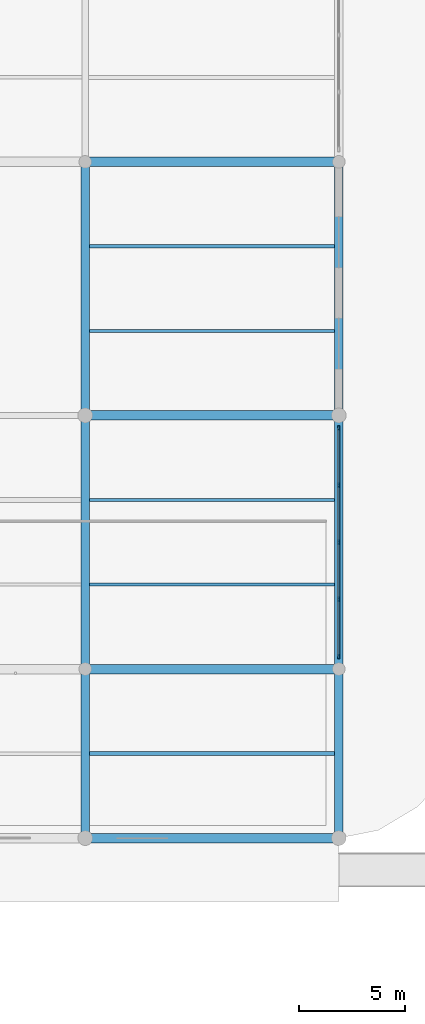
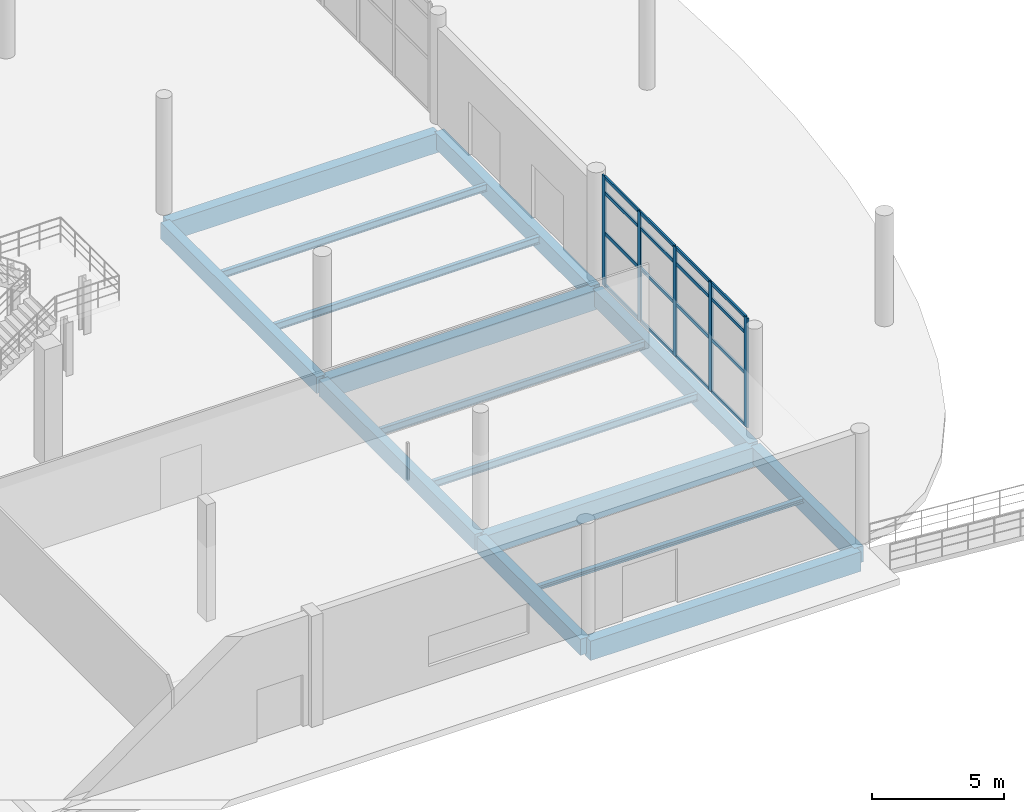
# One storey, part 36 of 85: 21 members, 15 beams, 1 element without a shape of its own.
"""IFC4 building model written with IfcOpenShell, lengths in metres."""

from ifc_helpers import new_model, si_unit, direction, frame, origin, origin_2d, place, context, subcontext, project, spatial, rectangle, i_section, extrude, material, material_profile, profile_set, type_object, element, aggregate, save


model = new_model("IFC4")

# Units and contexts
model_context = context("Model", 3, precision=1e-05, world=origin(), true_north=direction((0.0, 1.0)))
body_context = subcontext(model_context, "Body", "Model", "MODEL_VIEW")
ifc_project = project(units=[si_unit("LENGTHUNIT", "METRE"), si_unit("AREAUNIT", "SQUARE_METRE"), si_unit("VOLUMEUNIT", "CUBIC_METRE"), si_unit("PLANEANGLEUNIT", "RADIAN"), si_unit("MASSUNIT", "GRAM", prefix="KILO"), si_unit("THERMODYNAMICTEMPERATUREUNIT", "KELVIN"), si_unit("POWERUNIT", "WATT")], contexts=[model_context])

# Site, building, storey
site_placement = place(None, origin())
site = spatial("IfcSite", under=ifc_project, at=site_placement, CompositionType="ELEMENT")
building_placement = place(site_placement, origin())
building = spatial("IfcBuilding", under=site, at=building_placement, Name="Solmara Park Aquatics Centre", CompositionType="ELEMENT")
storey_placement = place(building_placement, origin())
storey = spatial("IfcBuildingStorey", under=building, at=storey_placement, Name="L00", CompositionType="ELEMENT", Elevation=0.0)

# Curtain wall, members
ifc_material_1 = material(Name="Anodised Aluminium Curtain Wall Framing", Category="aluminium")
curtain_wall_type = type_object("IfcCurtainWallType", Name="ARC-CW-SYS02", PredefinedType="USERDEFINED", material=ifc_material_1)
curtain_wall_placement = place(storey_placement, origin())
curtain_wall = element("IfcCurtainWall", 1, at=curtain_wall_placement, inside=storey, type_object=curtain_wall_type, Name="Curtain Wall CW-091", ObjectType="CURTAIN WALL", PredefinedType="USERDEFINED")
ifc_material_2 = material(Name="Anodised Aluminium Alloy 6063-T6", Category="aluminium")
ifc_material_profile_1 = material_profile(ifc_material_2, rectangle(XDim=0.074951171875, YDim=0.219970703125, at=origin_2d()), Name="ALU MULLION 75x220")
ifc_profile_set_1 = profile_set([ifc_material_profile_1], Name="Anodised Aluminium Alloy 6063-T6")
member_type_1 = type_object("IfcMemberType", Name="ARC-CWM-75x220", PredefinedType="MULLION", material=ifc_profile_set_1)
member_1_placement = place(storey_placement, frame((204.0, 25.199951171875, 0.0), z_axis=(0.0, 0.0, 1.0), x_axis=(1.0, 0.0, 0.0)))
member_1 = element("IfcMember", 2, at=member_1_placement, type_object=member_type_1, Name="CW-091 mullion 1", PredefinedType="MULLION", context=body_context, shape_type="SweptSolid", body=[
    extrude(rectangle(XDim=0.074951171875, YDim=0.219970703125, at=origin_2d()), origin(), (0.0, 0.0, 1.0), 5.080078125),
])
member_2_placement = place(storey_placement, frame((204.0, 27.89990234375, 0.0), z_axis=(0.0, 0.0, 1.0), x_axis=(1.0, 0.0, 0.0)))
member_2 = element("IfcMember", 3, at=member_2_placement, type_object=member_type_1, Name="CW-091 mullion 2", PredefinedType="MULLION", context=body_context, shape_type="SweptSolid", body=[
    extrude(rectangle(XDim=0.074951171875, YDim=0.219970703125, at=origin_2d()), origin(), (0.0, 0.0, 1.0), 5.080078125),
])
member_3_placement = place(storey_placement, frame((204.0, 30.60009765625, 0.0), z_axis=(0.0, 0.0, 1.0), x_axis=(1.0, 0.0, 0.0)))
member_3 = element("IfcMember", 4, at=member_3_placement, type_object=member_type_1, Name="CW-091 mullion 3", PredefinedType="MULLION", context=body_context, shape_type="SweptSolid", body=[
    extrude(rectangle(XDim=0.074951171875, YDim=0.219970703125, at=origin_2d()), origin(), (0.0, 0.0, 1.0), 5.080078125),
])
member_4_placement = place(storey_placement, frame((204.0, 33.300048828125, 0.0), z_axis=(0.0, 0.0, 1.0), x_axis=(1.0, 0.0, 0.0)))
member_4 = element("IfcMember", 5, at=member_4_placement, type_object=member_type_1, Name="CW-091 mullion 4", PredefinedType="MULLION", context=body_context, shape_type="SweptSolid", body=[
    extrude(rectangle(XDim=0.074951171875, YDim=0.219970703125, at=origin_2d()), origin(), (0.0, 0.0, 1.0), 5.080078125),
])
member_5_placement = place(storey_placement, frame((204.0, 36.0, 0.0), z_axis=(0.0, 0.0, 1.0), x_axis=(1.0, 0.0, 0.0)))
member_5 = element("IfcMember", 6, at=member_5_placement, type_object=member_type_1, Name="CW-091 mullion 5", PredefinedType="MULLION", context=body_context, shape_type="SweptSolid", body=[
    extrude(rectangle(XDim=0.074951171875, YDim=0.219970703125, at=origin_2d()), origin(), (0.0, 0.0, 1.0), 5.080078125),
])
ifc_material_profile_2 = material_profile(ifc_material_2, rectangle(XDim=0.074951171875, YDim=0.14990234375, at=origin_2d()), Name="ALU TRANSOM 75x150")
ifc_profile_set_2 = profile_set([ifc_material_profile_2], Name="Anodised Aluminium Alloy 6063-T6")
member_type_2 = type_object("IfcMemberType", Name="ARC-CWT-75x150", PredefinedType="USERDEFINED", material=ifc_profile_set_2)
member_6_placement = place(storey_placement, frame((204.0, 25.219970703125, 0.0400390625), z_axis=(0.0, 1.0, 0.0), x_axis=(-1.0, 0.0, 0.0)))
member_6 = element("IfcMember", 7, at=member_6_placement, type_object=member_type_2, Name="CW-091 transom 1", ObjectType="TRANSOM", PredefinedType="USERDEFINED", context=body_context, shape_type="SweptSolid", body=[
    extrude(rectangle(XDim=0.074951171875, YDim=0.14990234375, at=origin_2d()), origin(), (0.0, 0.0, 1.0), 2.6201171875),
])
member_7_placement = place(storey_placement, frame((204.0, 25.219970703125, 2.449951171875), z_axis=(0.0, 1.0, 0.0), x_axis=(-1.0, 0.0, 0.0)))
member_7 = element("IfcMember", 8, at=member_7_placement, type_object=member_type_2, Name="CW-091 transom 2", ObjectType="TRANSOM", PredefinedType="USERDEFINED", context=body_context, shape_type="SweptSolid", body=[
    extrude(rectangle(XDim=0.074951171875, YDim=0.14990234375, at=origin_2d()), origin(), (0.0, 0.0, 1.0), 2.6201171875),
])
member_8_placement = place(storey_placement, frame((204.0, 25.219970703125, 4.330078125), z_axis=(0.0, 1.0, 0.0), x_axis=(-1.0, 0.0, 0.0)))
member_8 = element("IfcMember", 9, at=member_8_placement, type_object=member_type_2, Name="CW-091 transom 3", ObjectType="TRANSOM", PredefinedType="USERDEFINED", context=body_context, shape_type="SweptSolid", body=[
    extrude(rectangle(XDim=0.074951171875, YDim=0.14990234375, at=origin_2d()), origin(), (0.0, 0.0, 1.0), 2.6201171875),
])
member_9_placement = place(storey_placement, frame((204.0, 25.219970703125, 5.0400390625), z_axis=(0.0, 1.0, 0.0), x_axis=(-1.0, 0.0, 0.0)))
member_9 = element("IfcMember", 10, at=member_9_placement, type_object=member_type_2, Name="CW-091 transom 4", ObjectType="TRANSOM", PredefinedType="USERDEFINED", context=body_context, shape_type="SweptSolid", body=[
    extrude(rectangle(XDim=0.074951171875, YDim=0.14990234375, at=origin_2d()), origin(), (0.0, 0.0, 1.0), 2.6201171875),
])
member_10_placement = place(storey_placement, frame((204.0, 27.919921875, 0.0400390625), z_axis=(0.0, 1.0, 0.0), x_axis=(-1.0, 0.0, 0.0)))
member_10 = element("IfcMember", 11, at=member_10_placement, type_object=member_type_2, Name="CW-091 transom 5", ObjectType="TRANSOM", PredefinedType="USERDEFINED", context=body_context, shape_type="SweptSolid", body=[
    extrude(rectangle(XDim=0.074951171875, YDim=0.14990234375, at=origin_2d()), origin(), (0.0, 0.0, 1.0), 2.6201171875),
])
member_11_placement = place(storey_placement, frame((204.0, 27.919921875, 2.449951171875), z_axis=(0.0, 1.0, 0.0), x_axis=(-1.0, 0.0, 0.0)))
member_11 = element("IfcMember", 12, at=member_11_placement, type_object=member_type_2, Name="CW-091 transom 6", ObjectType="TRANSOM", PredefinedType="USERDEFINED", context=body_context, shape_type="SweptSolid", body=[
    extrude(rectangle(XDim=0.074951171875, YDim=0.14990234375, at=origin_2d()), origin(), (0.0, 0.0, 1.0), 2.6201171875),
])
member_12_placement = place(storey_placement, frame((204.0, 27.919921875, 4.330078125), z_axis=(0.0, 1.0, 0.0), x_axis=(-1.0, 0.0, 0.0)))
member_12 = element("IfcMember", 13, at=member_12_placement, type_object=member_type_2, Name="CW-091 transom 7", ObjectType="TRANSOM", PredefinedType="USERDEFINED", context=body_context, shape_type="SweptSolid", body=[
    extrude(rectangle(XDim=0.074951171875, YDim=0.14990234375, at=origin_2d()), origin(), (0.0, 0.0, 1.0), 2.6201171875),
])
member_13_placement = place(storey_placement, frame((204.0, 27.919921875, 5.0400390625), z_axis=(0.0, 1.0, 0.0), x_axis=(-1.0, 0.0, 0.0)))
member_13 = element("IfcMember", 14, at=member_13_placement, type_object=member_type_2, Name="CW-091 transom 8", ObjectType="TRANSOM", PredefinedType="USERDEFINED", context=body_context, shape_type="SweptSolid", body=[
    extrude(rectangle(XDim=0.074951171875, YDim=0.14990234375, at=origin_2d()), origin(), (0.0, 0.0, 1.0), 2.6201171875),
])
member_14_placement = place(storey_placement, frame((204.0, 30.6201171875, 0.0400390625), z_axis=(0.0, 1.0, 0.0), x_axis=(-1.0, 0.0, 0.0)))
member_14 = element("IfcMember", 15, at=member_14_placement, type_object=member_type_2, Name="CW-091 transom 9", ObjectType="TRANSOM", PredefinedType="USERDEFINED", context=body_context, shape_type="SweptSolid", body=[
    extrude(rectangle(XDim=0.074951171875, YDim=0.14990234375, at=origin_2d()), origin(), (0.0, 0.0, 1.0), 2.619873046875),
])
member_15_placement = place(storey_placement, frame((204.0, 30.6201171875, 2.449951171875), z_axis=(0.0, 1.0, 0.0), x_axis=(-1.0, 0.0, 0.0)))
member_15 = element("IfcMember", 16, at=member_15_placement, type_object=member_type_2, Name="CW-091 transom 10", ObjectType="TRANSOM", PredefinedType="USERDEFINED", context=body_context, shape_type="SweptSolid", body=[
    extrude(rectangle(XDim=0.074951171875, YDim=0.14990234375, at=origin_2d()), origin(), (0.0, 0.0, 1.0), 2.619873046875),
])
member_16_placement = place(storey_placement, frame((204.0, 30.6201171875, 4.330078125), z_axis=(0.0, 1.0, 0.0), x_axis=(-1.0, 0.0, 0.0)))
member_16 = element("IfcMember", 17, at=member_16_placement, type_object=member_type_2, Name="CW-091 transom 11", ObjectType="TRANSOM", PredefinedType="USERDEFINED", context=body_context, shape_type="SweptSolid", body=[
    extrude(rectangle(XDim=0.074951171875, YDim=0.14990234375, at=origin_2d()), origin(), (0.0, 0.0, 1.0), 2.619873046875),
])
member_17_placement = place(storey_placement, frame((204.0, 30.6201171875, 5.0400390625), z_axis=(0.0, 1.0, 0.0), x_axis=(-1.0, 0.0, 0.0)))
member_17 = element("IfcMember", 18, at=member_17_placement, type_object=member_type_2, Name="CW-091 transom 12", ObjectType="TRANSOM", PredefinedType="USERDEFINED", context=body_context, shape_type="SweptSolid", body=[
    extrude(rectangle(XDim=0.074951171875, YDim=0.14990234375, at=origin_2d()), origin(), (0.0, 0.0, 1.0), 2.619873046875),
])
member_18_placement = place(storey_placement, frame((204.0, 33.320068359375, 0.0400390625), z_axis=(0.0, 1.0, 0.0), x_axis=(-1.0, 0.0, 0.0)))
member_18 = element("IfcMember", 19, at=member_18_placement, type_object=member_type_2, Name="CW-091 transom 13", ObjectType="TRANSOM", PredefinedType="USERDEFINED", context=body_context, shape_type="SweptSolid", body=[
    extrude(rectangle(XDim=0.074951171875, YDim=0.14990234375, at=origin_2d()), origin(), (0.0, 0.0, 1.0), 2.619873046875),
])
member_19_placement = place(storey_placement, frame((204.0, 33.320068359375, 2.449951171875), z_axis=(0.0, 1.0, 0.0), x_axis=(-1.0, 0.0, 0.0)))
member_19 = element("IfcMember", 20, at=member_19_placement, type_object=member_type_2, Name="CW-091 transom 14", ObjectType="TRANSOM", PredefinedType="USERDEFINED", context=body_context, shape_type="SweptSolid", body=[
    extrude(rectangle(XDim=0.074951171875, YDim=0.14990234375, at=origin_2d()), origin(), (0.0, 0.0, 1.0), 2.619873046875),
])
member_20_placement = place(storey_placement, frame((204.0, 33.320068359375, 4.330078125), z_axis=(0.0, 1.0, 0.0), x_axis=(-1.0, 0.0, 0.0)))
member_20 = element("IfcMember", 21, at=member_20_placement, type_object=member_type_2, Name="CW-091 transom 15", ObjectType="TRANSOM", PredefinedType="USERDEFINED", context=body_context, shape_type="SweptSolid", body=[
    extrude(rectangle(XDim=0.074951171875, YDim=0.14990234375, at=origin_2d()), origin(), (0.0, 0.0, 1.0), 2.619873046875),
])
member_21_placement = place(storey_placement, frame((204.0, 33.320068359375, 5.0400390625), z_axis=(0.0, 1.0, 0.0), x_axis=(-1.0, 0.0, 0.0)))
member_21 = element("IfcMember", 22, at=member_21_placement, type_object=member_type_2, Name="CW-091 transom 16", ObjectType="TRANSOM", PredefinedType="USERDEFINED", context=body_context, shape_type="SweptSolid", body=[
    extrude(rectangle(XDim=0.074951171875, YDim=0.14990234375, at=origin_2d()), origin(), (0.0, 0.0, 1.0), 2.619873046875),
])
aggregate(curtain_wall, [member_1, member_2, member_3, member_4, member_5, member_6, member_7, member_8, member_9, member_10, member_11, member_12, member_13, member_14, member_15, member_16, member_17, member_18, member_19, member_20, member_21])

# Beams
ifc_material_3 = material(Name="Concrete C40/50", Category="concrete")
ifc_material_profile_3 = material_profile(ifc_material_3, rectangle(XDim=0.39990234375, YDim=0.75, at=origin_2d()), Name="RC 400x750")
ifc_profile_set_3 = profile_set([ifc_material_profile_3], Name="Concrete C40/50")
beam_type_1 = type_object("IfcBeamType", Name="STR-BM-RC400x750", PredefinedType="BEAM", material=ifc_profile_set_3)
beam_1_placement = place(storey_placement, frame((192.0, 16.679931640625, -0.794921875), z_axis=(0.0, 1.0, 0.0), x_axis=(-1.0, 0.0, 0.0)))
element("IfcBeam", 23, at=beam_1_placement, inside=storey, type_object=beam_type_1, Name="Girder BM-L00-0088", PredefinedType="BEAM", context=body_context, shape_type="SweptSolid", body=[
    extrude(rectangle(XDim=0.39990234375, YDim=0.75, at=origin_2d()), origin(), (0.0, 0.0, 1.0), 7.840087890625),
])
for number, where, z_axis, x_axis, name in (
    (24, (192.0, 24.679931640625, -0.794921875), (0.0, 1.0, 0.0), (-1.0, 0.0, 0.0), "Girder BM-L00-0089"),
    (25, (192.0, 36.679931640625, -0.794921875), (0.0, 1.0, 0.0), (-1.0, 0.0, 0.0), "Girder BM-L00-0090"),
):
    element("IfcBeam", number, at=place(storey_placement, frame(where, z_axis=z_axis, x_axis=x_axis)), inside=storey, type_object=beam_type_1, Name=name, PredefinedType="BEAM", context=body_context, shape_type="SweptSolid", body=[
        extrude(rectangle(XDim=0.39990234375, YDim=0.75, at=origin_2d()), origin(), (0.0, 0.0, 1.0), 11.840087890625),
    ])
beam_2_placement = place(storey_placement, frame((204.0, 16.679931640625, -0.794921875), z_axis=(0.0, 1.0, 0.0), x_axis=(-1.0, 0.0, 0.0)))
element("IfcBeam", 26, at=beam_2_placement, inside=storey, type_object=beam_type_1, Name="Girder BM-L00-0093", PredefinedType="BEAM", context=body_context, shape_type="SweptSolid", body=[
    extrude(rectangle(XDim=0.39990234375, YDim=0.75, at=origin_2d()), origin(), (0.0, 0.0, 1.0), 7.840087890625),
])
for number, where, z_axis, x_axis, name in (
    (27, (204.0, 24.679931640625, -0.794921875), (0.0, 1.0, 0.0), (-1.0, 0.0, 0.0), "Girder BM-L00-0094"),
    (28, (204.0, 36.679931640625, -0.794921875), (0.0, 1.0, 0.0), (-1.0, 0.0, 0.0), "Girder BM-L00-0095"),
):
    element("IfcBeam", number, at=place(storey_placement, frame(where, z_axis=z_axis, x_axis=x_axis)), inside=storey, type_object=beam_type_1, Name=name, PredefinedType="BEAM", context=body_context, shape_type="SweptSolid", body=[
        extrude(rectangle(XDim=0.39990234375, YDim=0.75, at=origin_2d()), origin(), (0.0, 0.0, 1.0), 11.840087890625),
    ])
ifc_material_profile_4 = material_profile(ifc_material_3, rectangle(XDim=0.449951171875, YDim=0.89990234375, at=origin_2d()), Name="RC 450x900")
ifc_profile_set_4 = profile_set([ifc_material_profile_4], Name="Concrete C40/50")
beam_type_2 = type_object("IfcBeamType", Name="STR-BM-RC450x900", PredefinedType="BEAM", material=ifc_profile_set_4)
for number, where, z_axis, x_axis, name in (
    (29, (192.080078125, 16.60009765625, -0.8701171875), (1.0, 0.0, 0.0), (0.0, 1.0, 0.0), "Girder BM-L00-0053"),
    (30, (192.080078125, 24.60009765625, -0.8701171875), (1.0, 0.0, 0.0), (0.0, 1.0, 0.0), "Girder BM-L00-0057"),
    (31, (192.080078125, 36.60009765625, -0.8701171875), (1.0, 0.0, 0.0), (0.0, 1.0, 0.0), "Girder BM-L00-0061"),
    (32, (192.080078125, 48.60009765625, -0.8701171875), (1.0, 0.0, 0.0), (0.0, 1.0, 0.0), "Girder BM-L00-0065"),
):
    element("IfcBeam", number, at=place(storey_placement, frame(where, z_axis=z_axis, x_axis=x_axis)), inside=storey, type_object=beam_type_2, Name=name, PredefinedType="BEAM", context=body_context, shape_type="SweptSolid", body=[
        extrude(rectangle(XDim=0.449951171875, YDim=0.89990234375, at=origin_2d()), origin(), (0.0, 0.0, 1.0), 11.83984375),
    ])
ifc_material_4 = material(Name="Structural Steel S355", Category="steel")
ifc_material_profile_5 = material_profile(ifc_material_4, i_section(OverallWidth=0.199951171875, OverallDepth=0.18994140625, WebThickness=0.006591796875, FlangeThickness=0.010009765625, FilletRadius=0.01806640625, at=origin_2d()), Name="HEA 200")
ifc_profile_set_5 = profile_set([ifc_material_profile_5], Name="Structural Steel S355")
beam_type_3 = type_object("IfcBeamType", Name="STR-JST-HEA200", PredefinedType="JOIST", material=ifc_profile_set_5)
beam_3_placement = place(storey_placement, frame((192.199951171875, 20.60009765625, -0.514892578125), z_axis=(1.0, 0.0, 0.0), x_axis=(0.0, 1.0, 0.0)))
element("IfcBeam", 33, at=beam_3_placement, inside=storey, type_object=beam_type_3, Name="Floor Joist JST-L00-0049", PredefinedType="JOIST", context=body_context, shape_type="SweptSolid", body=[
    extrude(i_section(OverallWidth=0.199951171875, OverallDepth=0.18994140625, WebThickness=0.006591796875, FlangeThickness=0.010009765625, FilletRadius=0.01806640625, at=origin_2d()), origin(), (0.0, 0.0, 1.0), 11.60009765625),
])
ifc_material_profile_6 = material_profile(ifc_material_4, i_section(OverallWidth=0.159912109375, OverallDepth=0.330078125, WebThickness=0.007568359375, FlangeThickness=0.011474609375, FilletRadius=0.01806640625, at=origin_2d()), Name="IPE 330")
ifc_profile_set_6 = profile_set([ifc_material_profile_6], Name="Structural Steel S355")
beam_type_4 = type_object("IfcBeamType", Name="STR-JST-IPE330", PredefinedType="JOIST", material=ifc_profile_set_6)
for number, where, z_axis, x_axis, name in (
    (34, (192.199951171875, 28.60009765625, -0.5849609375), (1.0, 0.0, 0.0), (0.0, 1.0, 0.0), "Floor Joist JST-L00-0050"),
    (35, (192.199951171875, 32.60009765625, -0.5849609375), (1.0, 0.0, 0.0), (0.0, 1.0, 0.0), "Floor Joist JST-L00-0051"),
    (36, (192.199951171875, 40.60009765625, -0.5849609375), (1.0, 0.0, 0.0), (0.0, 1.0, 0.0), "Floor Joist JST-L00-0052"),
    (37, (192.199951171875, 44.60009765625, -0.5849609375), (1.0, 0.0, 0.0), (0.0, 1.0, 0.0), "Floor Joist JST-L00-0053"),
):
    element("IfcBeam", number, at=place(storey_placement, frame(where, z_axis=z_axis, x_axis=x_axis)), inside=storey, type_object=beam_type_4, Name=name, PredefinedType="JOIST", context=body_context, shape_type="SweptSolid", body=[
        extrude(i_section(OverallWidth=0.159912109375, OverallDepth=0.330078125, WebThickness=0.007568359375, FlangeThickness=0.011474609375, FilletRadius=0.01806640625, at=origin_2d()), origin(), (0.0, 0.0, 1.0), 11.60009765625),
    ])

save(model, "model.ifc")
